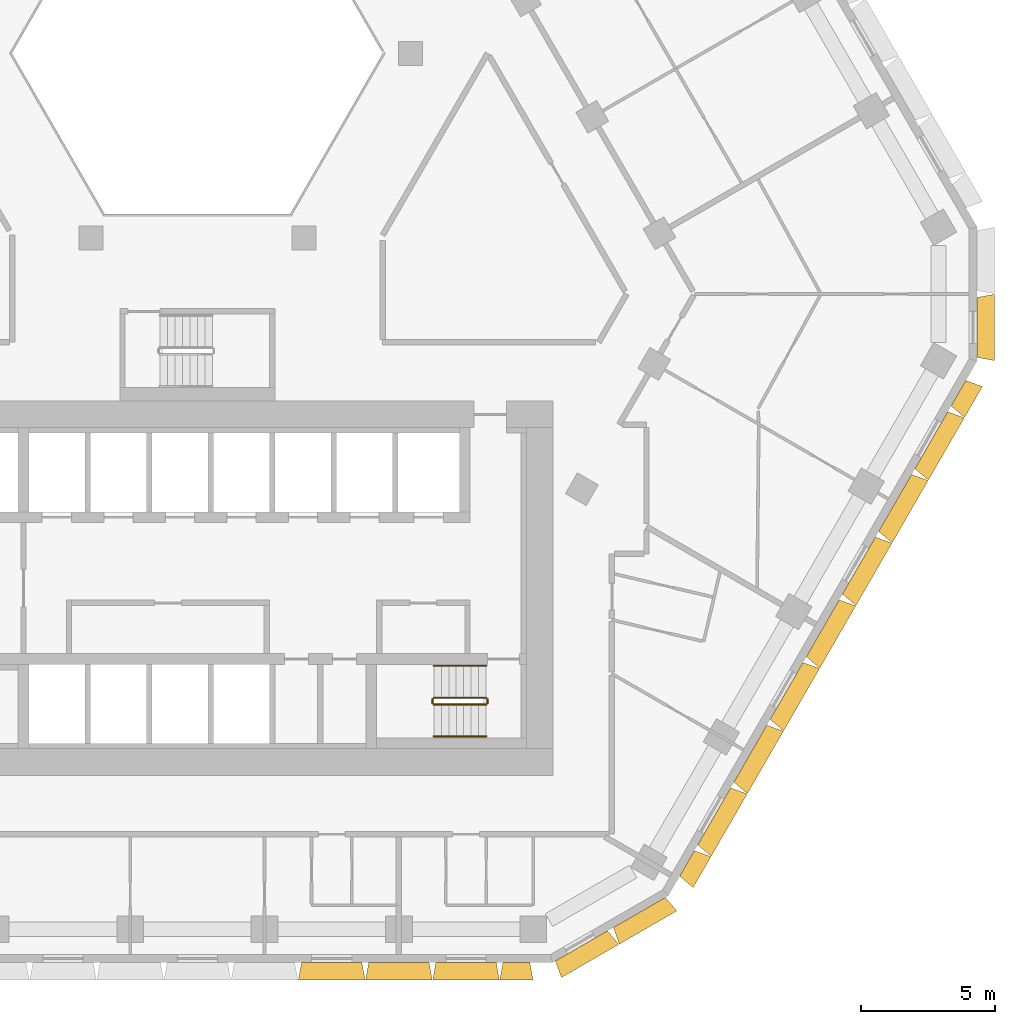
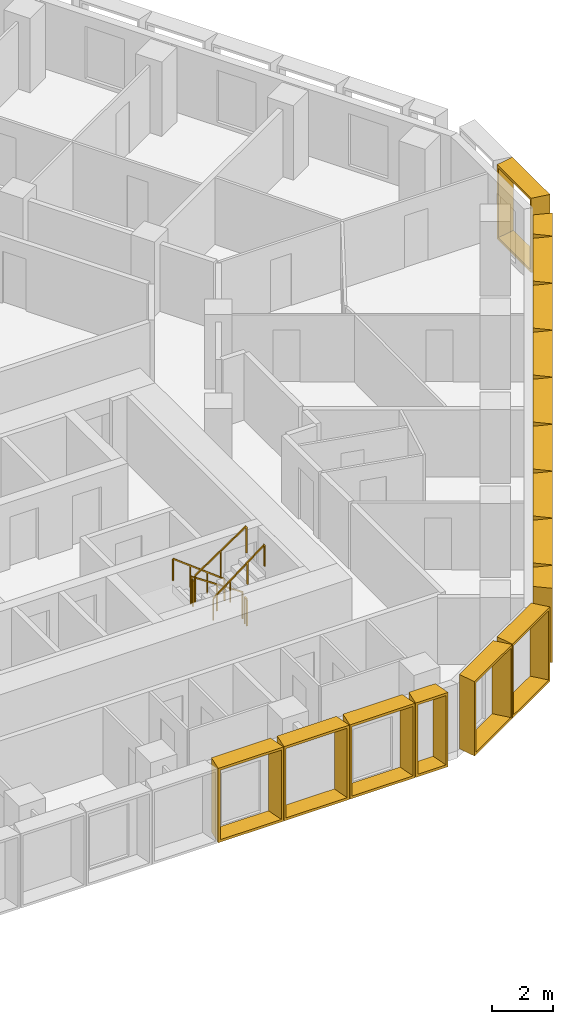
# One storey, part 14 of 15: 16 shading devices, 6 railings.
"""IFC4 building model written with IfcOpenShell, lengths in metres."""

from ifc_helpers import new_model, entity, si_unit, direction, frame, origin, origin_2d, place, context, subcontext, project, spatial, rectangle, extrude, source, transform, mapped, material, type_object, type_shapes, element, save


model = new_model("IFC4")

# Units and contexts
model_context = context("Model", 3, precision=1e-05, world=origin(), true_north=direction((0.0, 1.0)))
body_context = subcontext(model_context, "Body", "Model", "MODEL_VIEW")
ifc_project = project(units=[si_unit("LENGTHUNIT", "METRE"), si_unit("AREAUNIT", "SQUARE_METRE"), si_unit("VOLUMEUNIT", "CUBIC_METRE"), si_unit("PLANEANGLEUNIT", "RADIAN"), si_unit("MASSUNIT", "GRAM", prefix="KILO")], contexts=[model_context])

# Site, building, storey
site_placement = place(None, origin())
site = spatial("IfcSite", under=ifc_project, at=site_placement, CompositionType="ELEMENT")
building_placement = place(site_placement, origin())
building = spatial("IfcBuilding", under=site, at=building_placement, Name="Beryl Residences", CompositionType="ELEMENT")
storey_placement = place(building_placement, frame((0.0, 0.0, 84.0)))
storey = spatial("IfcBuildingStorey", under=building, at=storey_placement, Name="L25", CompositionType="ELEMENT", Elevation=84.0)

# Shading devices
ifc_material_1 = material(Name="Aluminium pale anodised", Category="aluminium")
shading_device_type_1 = type_object("IfcShadingDeviceType", Name="FR126-65A OUTER SKIN frame 650 mm deep, splay 10/10 deg, 1260 x 3000 mm cell", PredefinedType="USERDEFINED", material=ifc_material_1)
cartesian_point_1 = entity("IfcCartesianPoint", [-0.5048828125, 0.0])
cartesian_point_2 = entity("IfcCartesianPoint", [-0.423828125, 0.10009765625])
cartesian_point_3 = entity("IfcCartesianPoint", [-0.61962890625, 0.0])
cartesian_point_4 = entity("IfcCartesianPoint", [-0.538330078125, 0.10009765625])
shared_shape_1 = source(origin(), body_context, "Body", "SweptSolid", [
    entity("IfcExtrudedAreaSolidTapered", entity("IfcArbitraryProfileDefWithVoids", "AREA", None, entity("IfcPolyline", [cartesian_point_1, entity("IfcCartesianPoint", [0.5048828125, 0.0]), entity("IfcCartesianPoint", [0.5048828125, 3.0]), entity("IfcCartesianPoint", [-0.5048828125, 3.0]), cartesian_point_1]), [entity("IfcPolyline", [cartesian_point_2, entity("IfcCartesianPoint", [0.423828125, 0.10009765625]), entity("IfcCartesianPoint", [0.423828125, 2.89990234375]), entity("IfcCartesianPoint", [-0.423828125, 2.89990234375]), cartesian_point_2])]), entity("IfcAxis2Placement3D", entity("IfcCartesianPoint", [0.0, 0.0, 0.0]), entity("IfcDirection", [0.0, 1.0, 0.0]), entity("IfcDirection", [-1.0, 0.0, 0.0])), entity("IfcDirection", [0.0, 0.0, 1.0]), 0.64990234375, entity("IfcArbitraryProfileDefWithVoids", "AREA", None, entity("IfcPolyline", [cartesian_point_3, entity("IfcCartesianPoint", [0.61962890625, 0.0]), entity("IfcCartesianPoint", [0.61962890625, 3.0]), entity("IfcCartesianPoint", [-0.61962890625, 3.0]), cartesian_point_3]), [entity("IfcPolyline", [cartesian_point_4, entity("IfcCartesianPoint", [0.538330078125, 0.10009765625]), entity("IfcCartesianPoint", [0.538330078125, 2.89990234375]), entity("IfcCartesianPoint", [-0.538330078125, 2.89990234375]), cartesian_point_4])])),
])
type_shapes(shading_device_type_1, [shared_shape_1])
shading_device_placement = place(storey_placement, frame((11.929931640625, -26.0, 0.0), z_axis=(0.0, 0.0, 1.0), x_axis=(-1.0, 0.0, 0.0)))
element("IfcShadingDevice", 1, at=shading_device_placement, inside=storey, type_object=shading_device_type_1, Name="FR126-65A frame L25 S 11", ObjectType="OUTER SKIN", PredefinedType="USERDEFINED", context=body_context, shape_type="MappedRepresentation", body=[
    mapped(shared_shape_1, transform((0.0, 0.0, 0.0))),
])
ifc_material_2 = material(Name="Aluminium pale anodised", Category="aluminium")
shading_device_type_2 = type_object("IfcShadingDeviceType", Name="FR135-65A OUTER SKIN frame 650 mm deep, splay 10/10 deg, 1350 x 3000 mm cell", PredefinedType="USERDEFINED", material=ifc_material_2)
cartesian_point_5 = entity("IfcCartesianPoint", [-0.550048828125, 0.0])
cartesian_point_6 = entity("IfcCartesianPoint", [-0.46875, 0.10009765625])
cartesian_point_7 = entity("IfcCartesianPoint", [-0.66455078125, 0.0])
cartesian_point_8 = entity("IfcCartesianPoint", [-0.58349609375, 0.10009765625])
shared_shape_2 = source(origin(), body_context, "Body", "SweptSolid", [
    entity("IfcExtrudedAreaSolidTapered", entity("IfcArbitraryProfileDefWithVoids", "AREA", None, entity("IfcPolyline", [cartesian_point_5, entity("IfcCartesianPoint", [0.550048828125, 0.0]), entity("IfcCartesianPoint", [0.550048828125, 3.0]), entity("IfcCartesianPoint", [-0.550048828125, 3.0]), cartesian_point_5]), [entity("IfcPolyline", [cartesian_point_6, entity("IfcCartesianPoint", [0.46875, 0.10009765625]), entity("IfcCartesianPoint", [0.46875, 2.89990234375]), entity("IfcCartesianPoint", [-0.46875, 2.89990234375]), cartesian_point_6])]), entity("IfcAxis2Placement3D", entity("IfcCartesianPoint", [0.0, 0.0, 0.0]), entity("IfcDirection", [0.0, 1.0, 0.0]), entity("IfcDirection", [-1.0, 0.0, 0.0])), entity("IfcDirection", [0.0, 0.0, 1.0]), 0.64990234375, entity("IfcArbitraryProfileDefWithVoids", "AREA", None, entity("IfcPolyline", [cartesian_point_7, entity("IfcCartesianPoint", [0.66455078125, 0.0]), entity("IfcCartesianPoint", [0.66455078125, 3.0]), entity("IfcCartesianPoint", [-0.66455078125, 3.0]), cartesian_point_7]), [entity("IfcPolyline", [cartesian_point_8, entity("IfcCartesianPoint", [0.58349609375, 0.10009765625]), entity("IfcCartesianPoint", [0.58349609375, 2.89990234375]), entity("IfcCartesianPoint", [-0.58349609375, 2.89990234375]), cartesian_point_8])])),
])
type_shapes(shading_device_type_2, [shared_shape_2])
for number, where, z_axis, x_axis, name in (
    (2, (18.30810546875, -22.2900390625, 0.0), (0.0, 0.0, 1.0), (-0.5, -0.866025403784, 0.0), "FR135-65A frame L25 SE 1"),
    (3, (28.4580078125, -4.7099609375, 0.0), (0.0, 0.0, 1.0), (-0.5, -0.866025403784, 0.0), "FR135-65A frame L25 SE 9"),
):
    element("IfcShadingDevice", number, at=place(storey_placement, frame(where, z_axis=z_axis, x_axis=x_axis)), inside=storey, type_object=shading_device_type_2, Name=name, ObjectType="OUTER SKIN", PredefinedType="USERDEFINED", context=body_context, shape_type="MappedRepresentation", body=[
        mapped(shared_shape_2, transform((0.0, 0.0, 0.0))),
    ])
ifc_material_3 = material(Name="Aluminium pale anodised", Category="aluminium")
shading_device_type_3 = type_object("IfcShadingDeviceType", Name="FR250-65A OUTER SKIN frame 650 mm deep, splay 10/10 deg, 2500 x 3000 mm cell", PredefinedType="USERDEFINED", material=ifc_material_3)
cartesian_point_9 = entity("IfcCartesianPoint", [-1.125, 0.0])
cartesian_point_10 = entity("IfcCartesianPoint", [-1.043701171875, 0.10009765625])
cartesian_point_11 = entity("IfcCartesianPoint", [-1.239501953125, 0.0])
cartesian_point_12 = entity("IfcCartesianPoint", [-1.158447265625, 0.10009765625])
shared_shape_3 = source(origin(), body_context, "Body", "SweptSolid", [
    entity("IfcExtrudedAreaSolidTapered", entity("IfcArbitraryProfileDefWithVoids", "AREA", None, entity("IfcPolyline", [cartesian_point_9, entity("IfcCartesianPoint", [1.125, 0.0]), entity("IfcCartesianPoint", [1.125, 3.0]), entity("IfcCartesianPoint", [-1.125, 3.0]), cartesian_point_9]), [entity("IfcPolyline", [cartesian_point_10, entity("IfcCartesianPoint", [1.043701171875, 0.10009765625]), entity("IfcCartesianPoint", [1.043701171875, 2.89990234375]), entity("IfcCartesianPoint", [-1.043701171875, 2.89990234375]), cartesian_point_10])]), entity("IfcAxis2Placement3D", entity("IfcCartesianPoint", [0.0, 0.0, 0.0]), entity("IfcDirection", [0.0, 1.0, 0.0]), entity("IfcDirection", [-1.0, 0.0, 0.0])), entity("IfcDirection", [0.0, 0.0, 1.0]), 0.64990234375, entity("IfcArbitraryProfileDefWithVoids", "AREA", None, entity("IfcPolyline", [cartesian_point_11, entity("IfcCartesianPoint", [1.239501953125, 0.0]), entity("IfcCartesianPoint", [1.239501953125, 3.0]), entity("IfcCartesianPoint", [-1.239501953125, 3.0]), cartesian_point_11]), [entity("IfcPolyline", [cartesian_point_12, entity("IfcCartesianPoint", [1.158447265625, 0.10009765625]), entity("IfcCartesianPoint", [1.158447265625, 2.89990234375]), entity("IfcCartesianPoint", [-1.158447265625, 2.89990234375]), cartesian_point_12])])),
])
type_shapes(shading_device_type_3, [shared_shape_3])
for number, where, z_axis, x_axis, name in (
    (4, (14.361083984375, -25.375, 0.0), (0.0, 0.0, 1.0), (-0.866025403784, -0.5, 0.0), "FR250-65A frame L25 S-SE 1"),
    (5, (16.527099609375, -24.125, 0.0), (0.0, 0.0, 1.0), (-0.866025403784, -0.5, 0.0), "FR250-65A frame L25 S-SE 2"),
    (6, (29.156982421875, -2.25, 0.0), (0.0, 0.0, 1.0), (0.0, -1.0, 0.0), "FR250-65A frame L25 SE-NE 1"),
):
    element("IfcShadingDevice", number, at=place(storey_placement, frame(where, z_axis=z_axis, x_axis=x_axis)), inside=storey, type_object=shading_device_type_3, Name=name, ObjectType="OUTER SKIN", PredefinedType="USERDEFINED", context=body_context, shape_type="MappedRepresentation", body=[
        mapped(shared_shape_3, transform((0.0, 0.0, 0.0))),
    ])
ifc_material_4 = material(Name="Aluminium pale anodised", Category="aluminium")
shading_device_type_4 = type_object("IfcShadingDeviceType", Name="FR251-65A OUTER SKIN frame 650 mm deep, splay 10/10 deg, 2510 x 3000 mm cell", PredefinedType="USERDEFINED", material=ifc_material_4)
cartesian_point_13 = entity("IfcCartesianPoint", [-1.1298828125, 0.0])
cartesian_point_14 = entity("IfcCartesianPoint", [-1.048828125, 0.10009765625])
cartesian_point_15 = entity("IfcCartesianPoint", [-1.24462890625, 0.0])
cartesian_point_16 = entity("IfcCartesianPoint", [-1.163330078125, 0.10009765625])
shared_shape_4 = source(origin(), body_context, "Body", "SweptSolid", [
    entity("IfcExtrudedAreaSolidTapered", entity("IfcArbitraryProfileDefWithVoids", "AREA", None, entity("IfcPolyline", [cartesian_point_13, entity("IfcCartesianPoint", [1.1298828125, 0.0]), entity("IfcCartesianPoint", [1.1298828125, 3.0]), entity("IfcCartesianPoint", [-1.1298828125, 3.0]), cartesian_point_13]), [entity("IfcPolyline", [cartesian_point_14, entity("IfcCartesianPoint", [1.048828125, 0.10009765625]), entity("IfcCartesianPoint", [1.048828125, 2.89990234375]), entity("IfcCartesianPoint", [-1.048828125, 2.89990234375]), cartesian_point_14])]), entity("IfcAxis2Placement3D", entity("IfcCartesianPoint", [0.0, 0.0, 0.0]), entity("IfcDirection", [0.0, 1.0, 0.0]), entity("IfcDirection", [-1.0, 0.0, 0.0])), entity("IfcDirection", [0.0, 0.0, 1.0]), 0.64990234375, entity("IfcArbitraryProfileDefWithVoids", "AREA", None, entity("IfcPolyline", [cartesian_point_15, entity("IfcCartesianPoint", [1.24462890625, 0.0]), entity("IfcCartesianPoint", [1.24462890625, 3.0]), entity("IfcCartesianPoint", [-1.24462890625, 3.0]), cartesian_point_15]), [entity("IfcPolyline", [cartesian_point_16, entity("IfcCartesianPoint", [1.163330078125, 0.10009765625]), entity("IfcCartesianPoint", [1.163330078125, 2.89990234375]), entity("IfcCartesianPoint", [-1.163330078125, 2.89990234375]), cartesian_point_16])])),
])
type_shapes(shading_device_type_4, [shared_shape_4])
for number, where, z_axis, x_axis, name in (
    (7, (5.02392578125, -26.0, 0.0), (0.0, 0.0, 1.0), (-1.0, 0.0, 0.0), "FR251-65A frame L25 S 8"),
    (8, (7.534912109375, -26.0, 0.0), (0.0, 0.0, 1.0), (-1.0, 0.0, 0.0), "FR251-65A frame L25 S 9"),
    (9, (10.0458984375, -26.0, 0.0), (0.0, 0.0, 1.0), (-1.0, 0.0, 0.0), "FR251-65A frame L25 S 10"),
):
    element("IfcShadingDevice", number, at=place(storey_placement, frame(where, z_axis=z_axis, x_axis=x_axis)), inside=storey, type_object=shading_device_type_4, Name=name, ObjectType="OUTER SKIN", PredefinedType="USERDEFINED", context=body_context, shape_type="MappedRepresentation", body=[
        mapped(shared_shape_4, transform((0.0, 0.0, 0.0))),
    ])
ifc_material_5 = material(Name="Aluminium pale anodised", Category="aluminium")
shading_device_type_5 = type_object("IfcShadingDeviceType", Name="FR271-65A OUTER SKIN frame 650 mm deep, splay 10/10 deg, 2710 x 3000 mm cell", PredefinedType="USERDEFINED", material=ifc_material_5)
cartesian_point_17 = entity("IfcCartesianPoint", [-1.22998046875, 0.0])
cartesian_point_18 = entity("IfcCartesianPoint", [-1.148681640625, 0.10009765625])
cartesian_point_19 = entity("IfcCartesianPoint", [-1.3447265625, 0.0])
cartesian_point_20 = entity("IfcCartesianPoint", [-1.263427734375, 0.10009765625])
shared_shape_5 = source(origin(), body_context, "Body", "SweptSolid", [
    entity("IfcExtrudedAreaSolidTapered", entity("IfcArbitraryProfileDefWithVoids", "AREA", None, entity("IfcPolyline", [cartesian_point_17, entity("IfcCartesianPoint", [1.22998046875, 0.0]), entity("IfcCartesianPoint", [1.22998046875, 3.0]), entity("IfcCartesianPoint", [-1.22998046875, 3.0]), cartesian_point_17]), [entity("IfcPolyline", [cartesian_point_18, entity("IfcCartesianPoint", [1.148681640625, 0.10009765625]), entity("IfcCartesianPoint", [1.148681640625, 2.89990234375]), entity("IfcCartesianPoint", [-1.148681640625, 2.89990234375]), cartesian_point_18])]), entity("IfcAxis2Placement3D", entity("IfcCartesianPoint", [0.0, 0.0, 0.0]), entity("IfcDirection", [0.0, 1.0, 0.0]), entity("IfcDirection", [-1.0, 0.0, 0.0])), entity("IfcDirection", [0.0, 0.0, 1.0]), 0.64990234375, entity("IfcArbitraryProfileDefWithVoids", "AREA", None, entity("IfcPolyline", [cartesian_point_19, entity("IfcCartesianPoint", [1.3447265625, 0.0]), entity("IfcCartesianPoint", [1.3447265625, 3.0]), entity("IfcCartesianPoint", [-1.3447265625, 3.0]), cartesian_point_19]), [entity("IfcPolyline", [cartesian_point_20, entity("IfcCartesianPoint", [1.263427734375, 0.10009765625]), entity("IfcCartesianPoint", [1.263427734375, 2.89990234375]), entity("IfcCartesianPoint", [-1.263427734375, 2.89990234375]), cartesian_point_20])])),
])
type_shapes(shading_device_type_5, [shared_shape_5])
for number, where, z_axis, x_axis, name in (
    (10, (19.322998046875, -20.531982421875, 0.0), (0.0, 0.0, 1.0), (-0.5, -0.866025403784, 0.0), "FR271-65A frame L25 SE 2"),
    (11, (20.676025390625, -18.18798828125, 0.0), (0.0, 0.0, 1.0), (-0.5, -0.866025403784, 0.0), "FR271-65A frame L25 SE 3"),
    (12, (22.030029296875, -15.843994140625, 0.0), (0.0, 0.0, 1.0), (-0.5, -0.866025403784, 0.0), "FR271-65A frame L25 SE 4"),
    (13, (23.383056640625, -13.5, 0.0), (0.0, 0.0, 1.0), (-0.5, -0.866025403784, 0.0), "FR271-65A frame L25 SE 5"),
    (14, (24.736083984375, -11.156005859375, 0.0), (0.0, 0.0, 1.0), (-0.5, -0.866025403784, 0.0), "FR271-65A frame L25 SE 6"),
    (15, (26.090087890625, -8.81201171875, 0.0), (0.0, 0.0, 1.0), (-0.5, -0.866025403784, 0.0), "FR271-65A frame L25 SE 7"),
    (16, (27.443115234375, -6.468017578125, 0.0), (0.0, 0.0, 1.0), (-0.5, -0.866025403784, 0.0), "FR271-65A frame L25 SE 8"),
):
    element("IfcShadingDevice", number, at=place(storey_placement, frame(where, z_axis=z_axis, x_axis=x_axis)), inside=storey, type_object=shading_device_type_5, Name=name, ObjectType="OUTER SKIN", PredefinedType="USERDEFINED", context=body_context, shape_type="MappedRepresentation", body=[
        mapped(shared_shape_5, transform((0.0, 0.0, 0.0))),
    ])

# Railings
ifc_material_6 = material(Name="Stainless steel balustrade with glass infill", Category="steel")
railing_type_1 = type_object("IfcRailingType", Name="SG1 stair guard 1100 mm", PredefinedType="GUARDRAIL", material=ifc_material_6)
railing_1_placement = place(storey_placement, frame((10.800048828125, -16.10009765625, 0.1875)))
element("IfcRailing", 17, at=railing_1_placement, inside=storey, type_object=railing_type_1, Name="L25 ST-3 stair guard 1", PredefinedType="GUARDRAIL", context=body_context, shape_type="SweptSolid", body=[
    extrude(rectangle(XDim=0.048095703125, YDim=0.048095703125, at=origin_2d()), frame((0.0, 0.0, 1.076171875), z_axis=(-0.830902050051, 0.0, 0.556418712142), x_axis=(0.0, -1.0, 0.0)), (0.0, 0.0, 1.0), 2.35888671875),
    extrude(rectangle(XDim=0.0419921875, YDim=0.0419921875, at=origin_2d()), origin(), (0.0, 0.0, 1.0), 1.052001953125),
    extrude(rectangle(XDim=0.0419921875, YDim=0.0419921875, at=origin_2d()), frame((-0.97998046875, 0.0, 0.65625)), (0.0, 0.0, 1.0), 1.052001953125),
    extrude(rectangle(XDim=0.0419921875, YDim=0.0419921875, at=origin_2d()), frame((-1.9599609375, 0.0, 1.3125)), (0.0, 0.0, 1.0), 1.052001953125),
])
railing_2_placement = place(storey_placement, frame((8.7900390625, -16.14990234375, 1.5)))
element("IfcRailing", 18, at=railing_2_placement, inside=storey, type_object=railing_type_1, Name="L25 ST-3 stair guard 2", PredefinedType="GUARDRAIL", context=body_context, shape_type="SweptSolid", body=[
    extrude(rectangle(XDim=0.048095703125, YDim=0.048095703125, at=origin_2d()), frame((0.0, 0.0, 1.076171875), z_axis=(0.0, -1.0, 0.0), x_axis=(1.0, 0.0, 0.0)), (0.0, 0.0, 1.0), 0.150146484375),
    extrude(rectangle(XDim=0.0419921875, YDim=0.0419921875, at=origin_2d()), origin(), (0.0, 0.0, 1.0), 1.052001953125),
    extrude(rectangle(XDim=0.0419921875, YDim=0.0419921875, at=origin_2d()), frame((0.0, -0.150146484375, 0.0)), (0.0, 0.0, 1.0), 1.052001953125),
])
railing_3_placement = place(storey_placement, frame((8.840087890625, -16.35009765625, 1.6875)))
element("IfcRailing", 19, at=railing_3_placement, inside=storey, type_object=railing_type_1, Name="L25 ST-3 stair guard 3", PredefinedType="GUARDRAIL", context=body_context, shape_type="SweptSolid", body=[
    extrude(rectangle(XDim=0.048095703125, YDim=0.048095703125, at=origin_2d()), frame((0.0, 0.0, 1.076171875), z_axis=(0.830902050051, 0.0, 0.556418712142), x_axis=(0.0, 1.0, 0.0)), (0.0, 0.0, 1.0), 2.35888671875),
    extrude(rectangle(XDim=0.0419921875, YDim=0.0419921875, at=origin_2d()), origin(), (0.0, 0.0, 1.0), 1.052001953125),
    extrude(rectangle(XDim=0.0419921875, YDim=0.0419921875, at=origin_2d()), frame((0.97998046875, 0.0, 0.65625)), (0.0, 0.0, 1.0), 1.052001953125),
    extrude(rectangle(XDim=0.0419921875, YDim=0.0419921875, at=origin_2d()), frame((1.9599609375, 0.0, 1.3125)), (0.0, 0.0, 1.0), 1.052001953125),
])
railing_4_placement = place(storey_placement, frame((10.85009765625, -16.14990234375, 0.0)))
element("IfcRailing", 20, at=railing_4_placement, inside=storey, type_object=railing_type_1, Name="L25 ST-3 stair guard 4", PredefinedType="GUARDRAIL", context=body_context, shape_type="SweptSolid", body=[
    extrude(rectangle(XDim=0.048095703125, YDim=0.048095703125, at=origin_2d()), frame((0.0, 0.0, 1.076171875), z_axis=(0.0, -1.0, 0.0), x_axis=(1.0, 0.0, 0.0)), (0.0, 0.0, 1.0), 0.150146484375),
    extrude(rectangle(XDim=0.0419921875, YDim=0.0419921875, at=origin_2d()), origin(), (0.0, 0.0, 1.0), 1.052001953125),
    extrude(rectangle(XDim=0.0419921875, YDim=0.0419921875, at=origin_2d()), frame((0.0, -0.150146484375, 0.0)), (0.0, 0.0, 1.0), 1.052001953125),
])
ifc_material_7 = material(Name="Stainless steel handrail", Category="steel")
railing_type_2 = type_object("IfcRailingType", Name="SRL1 stair handrail 900 mm", PredefinedType="HANDRAIL", material=ifc_material_7)
railing_5_placement = place(storey_placement, frame((10.800048828125, -14.89990234375, 0.1875)))
element("IfcRailing", 21, at=railing_5_placement, inside=storey, type_object=railing_type_2, Name="L25 ST-3 stair handrail 1", PredefinedType="HANDRAIL", context=body_context, shape_type="SweptSolid", body=[
    extrude(rectangle(XDim=0.048095703125, YDim=0.048095703125, at=origin_2d()), frame((0.0, 0.0, 0.8759765625), z_axis=(-0.794121922505, 0.0, 0.607758481798), x_axis=(0.0, -1.0, 0.0)), (0.0, 0.0, 1.0), 2.468017578125),
    extrude(rectangle(XDim=0.0419921875, YDim=0.0419921875, at=origin_2d()), origin(), (0.0, 0.0, 1.0), 0.851806640625),
    extrude(rectangle(XDim=0.0419921875, YDim=0.0419921875, at=origin_2d()), frame((-0.6533203125, 0.0, 0.5)), (0.0, 0.0, 1.0), 0.851806640625),
    extrude(rectangle(XDim=0.0419921875, YDim=0.0419921875, at=origin_2d()), frame((-1.306640625, 0.0, 1.0)), (0.0, 0.0, 1.0), 0.851806640625),
    extrude(rectangle(XDim=0.0419921875, YDim=0.0419921875, at=origin_2d()), frame((-1.9599609375, 0.0, 1.5)), (0.0, 0.0, 1.0), 0.851806640625),
])
railing_6_placement = place(storey_placement, frame((8.840087890625, -17.550048828125, 1.6875)))
element("IfcRailing", 22, at=railing_6_placement, inside=storey, type_object=railing_type_2, Name="L25 ST-3 stair handrail 2", PredefinedType="HANDRAIL", context=body_context, shape_type="SweptSolid", body=[
    extrude(rectangle(XDim=0.048095703125, YDim=0.048095703125, at=origin_2d()), frame((0.0, 0.0, 0.8759765625), z_axis=(0.794121922505, 0.0, 0.607758481798), x_axis=(0.0, 1.0, 0.0)), (0.0, 0.0, 1.0), 2.468017578125),
    extrude(rectangle(XDim=0.0419921875, YDim=0.0419921875, at=origin_2d()), origin(), (0.0, 0.0, 1.0), 0.851806640625),
    extrude(rectangle(XDim=0.0419921875, YDim=0.0419921875, at=origin_2d()), frame((0.6533203125, 0.0, 0.5)), (0.0, 0.0, 1.0), 0.851806640625),
    extrude(rectangle(XDim=0.0419921875, YDim=0.0419921875, at=origin_2d()), frame((1.306640625, 0.0, 1.0)), (0.0, 0.0, 1.0), 0.851806640625),
    extrude(rectangle(XDim=0.0419921875, YDim=0.0419921875, at=origin_2d()), frame((1.9599609375, 0.0, 1.5)), (0.0, 0.0, 1.0), 0.851806640625),
])

save(model, "model.ifc")
